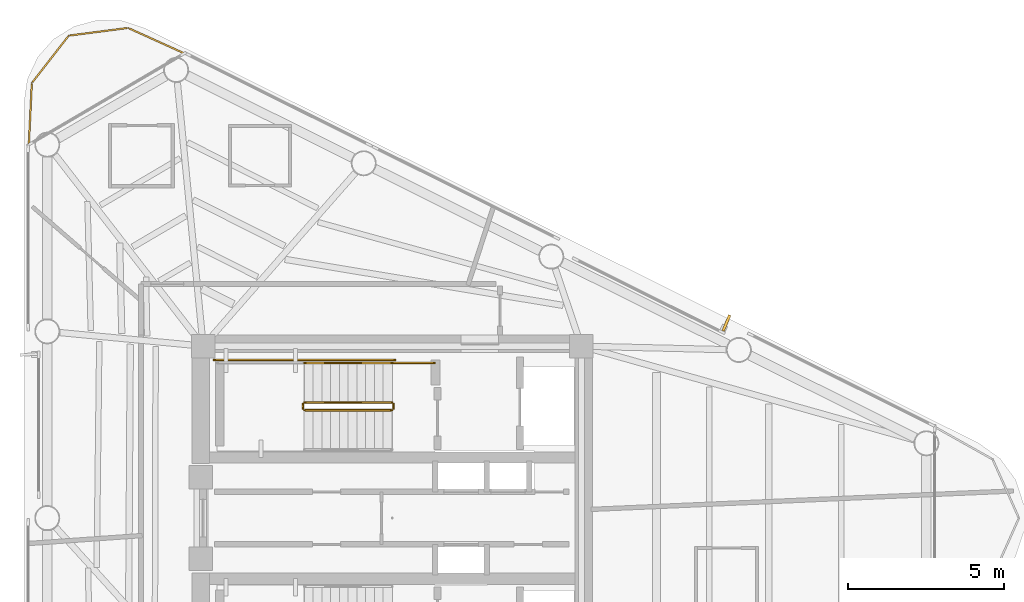
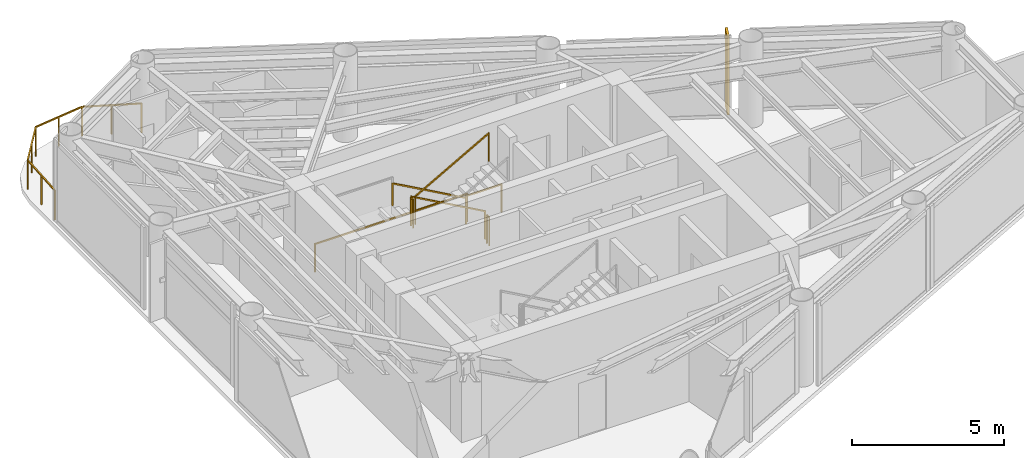
# One storey, part 10 of 10: 8 railings, 1 shading device.
"""IFC4 building model written with IfcOpenShell, lengths in metres."""

from ifc_helpers import new_model, si_unit, direction, frame, origin, origin_2d, place, context, subcontext, project, spatial, rectangle, extrude, source, transform, mapped, material, material_profile, profile_set, type_object, element, save


model = new_model("IFC4")

# Units and contexts
model_context = context("Model", 3, precision=1e-05, world=origin(), true_north=direction((0.0, 1.0)))
body_context = subcontext(model_context, "Body", "Model", "MODEL_VIEW")
ifc_project = project(units=[si_unit("LENGTHUNIT", "METRE"), si_unit("AREAUNIT", "SQUARE_METRE"), si_unit("VOLUMEUNIT", "CUBIC_METRE"), si_unit("PLANEANGLEUNIT", "RADIAN"), si_unit("MASSUNIT", "GRAM", prefix="KILO")], contexts=[model_context])

# Site, building, storey
site_placement = place(None, origin())
site = spatial("IfcSite", under=ifc_project, at=site_placement, CompositionType="ELEMENT")
building_placement = place(site_placement, origin())
building = spatial("IfcBuilding", under=site, at=building_placement, Name="Yunling Apex Tower", CompositionType="ELEMENT")
storey_placement = place(building_placement, frame((0.0, 0.0, 307.10009765625)))
storey = spatial("IfcBuildingStorey", under=building, at=storey_placement, Name="L75", CompositionType="ELEMENT", Elevation=307.10009765625)

# Railings
ifc_material_1 = material(Name="Bronze anodised aluminium", Category="aluminium")
railing_type_1 = type_object("IfcRailingType", Name="RL-BAL-1200", PredefinedType="BALUSTRADE", material=ifc_material_1)
railing_1_placement = place(storey_placement, frame((-11.627197265625, 11.9453125, 0.0)))
element("IfcRailing", 1, at=railing_1_placement, inside=storey, type_object=railing_type_1, Name="RL-CRNSILL-L75-2", PredefinedType="BALUSTRADE", context=body_context, shape_type="SweptSolid", body=[
    extrude(rectangle(XDim=0.0439453125, YDim=0.0439453125, at=origin_2d()), origin(), (0.0, 0.0, 1.0), 1.199951171875),
    extrude(rectangle(XDim=0.0439453125, YDim=0.0439453125, at=origin_2d()), frame((0.095947265625, 1.972412109375, 0.0)), (0.0, 0.0, 1.0), 1.199951171875),
    extrude(rectangle(XDim=0.050048828125, YDim=0.050048828125, at=origin_2d()), frame((0.001953125, 0.038330078125, 1.1748046875), z_axis=(0.048587182269, 0.998818945415, 0.0), x_axis=(-0.998818945415, 0.048587182269, 0.0)), (0.0, 0.0, 1.0), 1.898193359375),
    extrude(rectangle(XDim=0.0439453125, YDim=0.0439453125, at=origin_2d()), frame((0.0478515625, 0.986328125, 0.0)), (0.0, 0.0, 1.0), 1.14599609375),
    extrude(rectangle(XDim=0.0439453125, YDim=0.0439453125, at=origin_2d()), frame((1.27685546875, 3.48828125, 0.0)), (0.0, 0.0, 1.0), 1.199951171875),
    extrude(rectangle(XDim=0.050048828125, YDim=0.050048828125, at=origin_2d()), frame((0.119384765625, 2.002685546875, 1.1748046875), z_axis=(0.61455614591, 0.788873084548, 0.0), x_axis=(-0.788873084548, 0.61455614591, 0.0)), (0.0, 0.0, 1.0), 1.844970703125),
    extrude(rectangle(XDim=0.0439453125, YDim=0.0439453125, at=origin_2d()), frame((0.6865234375, 2.73046875, 0.0)), (0.0, 0.0, 1.0), 1.14599609375),
    extrude(rectangle(XDim=0.0439453125, YDim=0.0439453125, at=origin_2d()), frame((3.176513671875, 3.734375, 0.0)), (0.0, 0.0, 1.0), 1.199951171875),
    extrude(rectangle(XDim=0.050048828125, YDim=0.050048828125, at=origin_2d()), frame((1.31494140625, 3.4931640625, 1.1748046875), z_axis=(0.991713034877, 0.128472784881, 0.0), x_axis=(-0.128472784881, 0.991713034877, 0.0)), (0.0, 0.0, 1.0), 1.8388671875),
    extrude(rectangle(XDim=0.0439453125, YDim=0.0439453125, at=origin_2d()), frame((2.2265625, 3.611328125, 0.0)), (0.0, 0.0, 1.0), 1.14599609375),
    extrude(rectangle(XDim=0.0439453125, YDim=0.0439453125, at=origin_2d()), frame((4.97607421875, 2.919677734375, 0.0)), (0.0, 0.0, 1.0), 1.199951171875),
    extrude(rectangle(XDim=0.050048828125, YDim=0.050048828125, at=origin_2d()), frame((3.21142578125, 3.718505859375, 1.1748046875), z_axis=(0.910991856267, -0.412424341929, 0.0), x_axis=(0.412424341929, 0.910991856267, 0.0)), (0.0, 0.0, 1.0), 1.898681640625),
    extrude(rectangle(XDim=0.0439453125, YDim=0.0439453125, at=origin_2d()), frame((4.076171875, 3.3271484375, 0.0)), (0.0, 0.0, 1.0), 1.14599609375),
])
ifc_material_2 = material(Name="Steel Q355B", Category="steel")
railing_type_2 = type_object("IfcRailingType", Name="RL-GRD-1150", PredefinedType="GUARDRAIL", material=ifc_material_2)
railing_2_placement = place(storey_placement, frame((-0.010009765625, 3.699951171875, 0.15673828125)))
element("IfcRailing", 2, at=railing_2_placement, inside=storey, type_object=railing_type_2, Name="L75 ST-1 stair guard 1", PredefinedType="GUARDRAIL", context=body_context, shape_type="SweptSolid", body=[
    extrude(rectangle(XDim=0.0439453125, YDim=0.0439453125, at=origin_2d()), origin(), (0.0, 0.0, 1.0), 1.14990234375),
    extrude(rectangle(XDim=0.0439453125, YDim=0.0439453125, at=origin_2d()), frame((-2.800048828125, 0.0, 1.568115234375)), (0.0, 0.0, 1.0), 1.14990234375),
    extrude(rectangle(XDim=0.050048828125, YDim=0.050048828125, at=origin_2d()), frame((-0.033447265625, 0.0, 1.1435546875), z_axis=(-0.872494340497, 0.0, 0.48862421737), x_axis=(0.0, -1.0, 0.0)), (0.0, 0.0, 1.0), 3.132568359375),
])
railing_3_placement = place(storey_placement, frame((-2.860107421875, 3.64990234375, 1.724853515625)))
element("IfcRailing", 3, at=railing_3_placement, inside=storey, type_object=railing_type_2, Name="L75 ST-1 stair guard 2", PredefinedType="GUARDRAIL", context=body_context, shape_type="SweptSolid", body=[
    extrude(rectangle(XDim=0.0439453125, YDim=0.0439453125, at=origin_2d()), origin(), (0.0, 0.0, 1.0), 1.14990234375),
    extrude(rectangle(XDim=0.0439453125, YDim=0.0439453125, at=origin_2d()), frame((0.0, -0.14990234375, 0.0)), (0.0, 0.0, 1.0), 1.14990234375),
    extrude(rectangle(XDim=0.050048828125, YDim=0.050048828125, at=origin_2d()), frame((0.0, -0.038330078125, 1.125), z_axis=(0.0, -1.0, 0.0), x_axis=(1.0, 0.0, 0.0)), (0.0, 0.0, 1.0), 0.0732421875),
])
railing_4_placement = place(storey_placement, frame((-2.81005859375, 3.449951171875, 1.8818359375)))
element("IfcRailing", 4, at=railing_4_placement, inside=storey, type_object=railing_type_2, Name="L75 ST-1 stair guard 4", PredefinedType="GUARDRAIL", context=body_context, shape_type="SweptSolid", body=[
    extrude(rectangle(XDim=0.0439453125, YDim=0.0439453125, at=origin_2d()), origin(), (0.0, 0.0, 1.0), 1.14990234375),
    extrude(rectangle(XDim=0.0439453125, YDim=0.0439453125, at=origin_2d()), frame((2.800048828125, 0.0, 1.568115234375)), (0.0, 0.0, 1.0), 1.14990234375),
    extrude(rectangle(XDim=0.050048828125, YDim=0.050048828125, at=origin_2d()), frame((0.033447265625, 0.0, 1.1435546875), z_axis=(0.872494340497, 0.0, 0.48862421737), x_axis=(0.0, 1.0, 0.0)), (0.0, 0.0, 1.0), 3.132568359375),
])
railing_5_placement = place(storey_placement, frame((0.0400390625, 3.64990234375, 0.0)))
element("IfcRailing", 5, at=railing_5_placement, inside=storey, type_object=railing_type_2, Name="L75 ST-1 stair guard 5", PredefinedType="GUARDRAIL", context=body_context, shape_type="SweptSolid", body=[
    extrude(rectangle(XDim=0.0439453125, YDim=0.0439453125, at=origin_2d()), origin(), (0.0, 0.0, 1.0), 1.14990234375),
    extrude(rectangle(XDim=0.0439453125, YDim=0.0439453125, at=origin_2d()), frame((0.0, -0.14990234375, 0.0)), (0.0, 0.0, 1.0), 1.14990234375),
    extrude(rectangle(XDim=0.050048828125, YDim=0.050048828125, at=origin_2d()), frame((0.0, -0.038330078125, 1.125), z_axis=(0.0, -1.0, 0.0), x_axis=(1.0, 0.0, 0.0)), (0.0, 0.0, 1.0), 0.0732421875),
])
railing_6_placement = place(storey_placement, frame((1.35009765625, 4.9599609375, 0.0)))
element("IfcRailing", 6, at=railing_6_placement, inside=storey, type_object=railing_type_2, Name="L75 ST-1 stair guard 6", PredefinedType="GUARDRAIL", context=body_context, shape_type="SweptSolid", body=[
    extrude(rectangle(XDim=0.0439453125, YDim=0.0439453125, at=origin_2d()), origin(), (0.0, 0.0, 1.0), 1.14990234375),
    extrude(rectangle(XDim=0.0439453125, YDim=0.0439453125, at=origin_2d()), frame((-1.360107421875, 0.0, 0.0)), (0.0, 0.0, 1.0), 1.14990234375),
    extrude(rectangle(XDim=0.050048828125, YDim=0.050048828125, at=origin_2d()), frame((-0.038330078125, 0.0, 1.125), z_axis=(-1.0, 0.0, 0.0), x_axis=(0.0, -1.0, 0.0)), (0.0, 0.0, 1.0), 1.283447265625),
])
railing_7_placement = place(storey_placement, frame((0.090087890625, 5.06005859375, 0.0)))
element("IfcRailing", 7, at=railing_7_placement, inside=storey, type_object=railing_type_2, Name="L75 ST-1 stair guard 7", PredefinedType="GUARDRAIL", context=body_context, shape_type="SweptSolid", body=[
    extrude(rectangle(XDim=0.0439453125, YDim=0.0439453125, at=origin_2d()), origin(), (0.0, 0.0, 1.0), 1.14990234375),
    extrude(rectangle(XDim=0.0439453125, YDim=0.0439453125, at=origin_2d()), frame((-5.7900390625, 0.0, 0.0)), (0.0, 0.0, 1.0), 1.14990234375),
    extrude(rectangle(XDim=0.050048828125, YDim=0.050048828125, at=origin_2d()), frame((-0.038330078125, 0.0, 1.125), z_axis=(-1.0, 0.0, 0.0), x_axis=(0.0, -1.0, 0.0)), (0.0, 0.0, 1.0), 5.71337890625),
])
ifc_material_3 = material(Name="Silver anodised aluminium", Category="aluminium")
railing_type_3 = type_object("IfcRailingType", Name="RL-HND-900", PredefinedType="HANDRAIL", material=ifc_material_3)
railing_8_placement = place(storey_placement, frame((-0.010009765625, 4.9599609375, 0.15673828125)))
element("IfcRailing", 8, at=railing_8_placement, inside=storey, type_object=railing_type_3, Name="L75 ST-1 stair handrail 1", PredefinedType="HANDRAIL", context=body_context, shape_type="SweptSolid", body=[
    extrude(rectangle(XDim=0.0439453125, YDim=0.0439453125, at=origin_2d()), origin(), (0.0, 0.0, 1.0), 0.919921875),
    extrude(rectangle(XDim=0.0439453125, YDim=0.0439453125, at=origin_2d()), frame((-2.800048828125, 0.0, 1.568115234375)), (0.0, 0.0, 1.0), 0.919921875),
    extrude(rectangle(XDim=0.050048828125, YDim=0.050048828125, at=origin_2d()), frame((-0.033447265625, 0.0, 0.91357421875), z_axis=(-0.872494340497, 0.0, 0.48862421737), x_axis=(0.0, -1.0, 0.0)), (0.0, 0.0, 1.0), 3.132568359375),
])

# Shading device
ifc_material_profile = material_profile(ifc_material_1, rectangle(XDim=0.0849609375, YDim=0.550048828125, at=origin_2d()))
ifc_profile_set = profile_set([ifc_material_profile], Name="Bronze anodised aluminium")
shading_device_type = type_object("IfcShadingDeviceType", Name="FN-BRZ-3", PredefinedType="USERDEFINED", material=ifc_profile_set)
shared_shape = source(origin(), body_context, "Body", "SweptSolid", [
    extrude(rectangle(XDim=0.0849609375, YDim=0.550048828125, at=origin_2d()), origin(), (0.0, 0.0, 1.0), 3.14990234375),
])
shading_device_placement = place(storey_placement, frame((10.689208984375, 6.240234375, 0.06005859375), z_axis=(0.0, 0.0, 1.0), x_axis=(-0.922470722095, 0.386067049717, 0.0)))
element("IfcShadingDevice", 9, at=shading_device_placement, inside=storey, type_object=shading_device_type, Name="CW-L75-F2-B2-FIN-01", ObjectType="FIN", PredefinedType="USERDEFINED", context=body_context, shape_type="MappedRepresentation", body=[
    mapped(shared_shape, transform((0.0, 0.0, 0.0), scale=1.0)),
])

save(model, "model.ifc")
